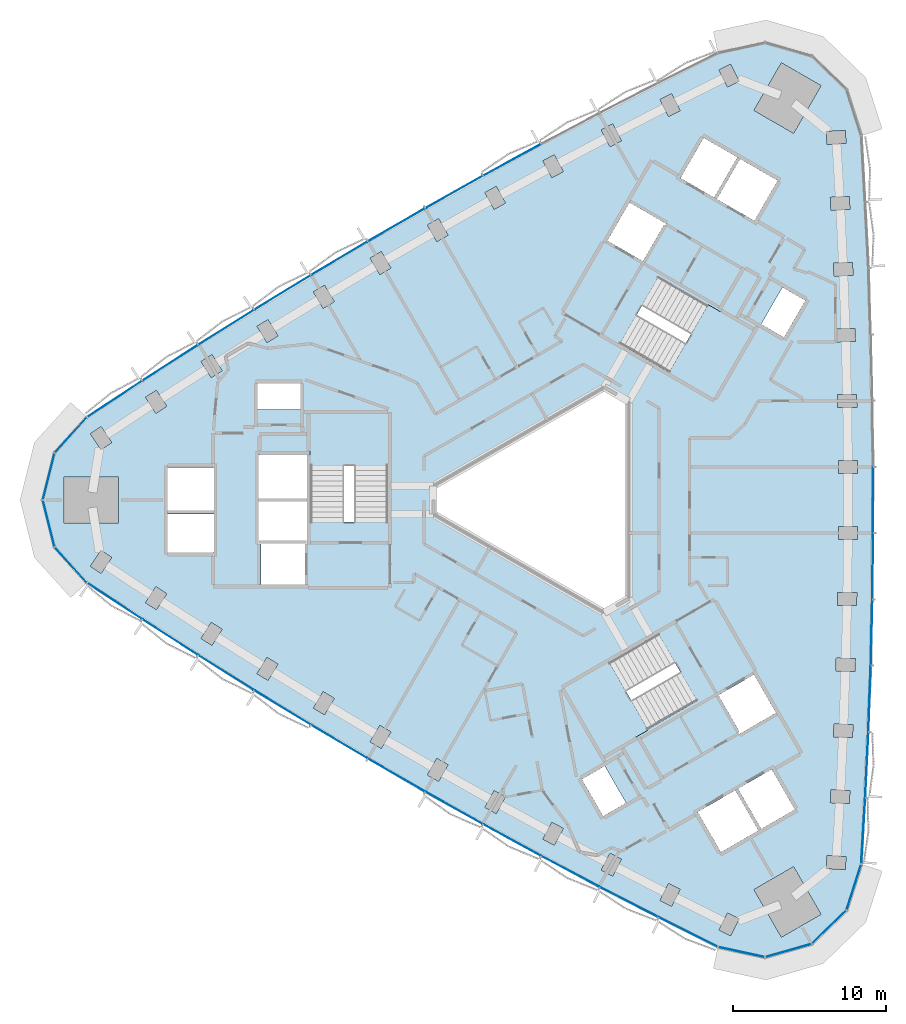
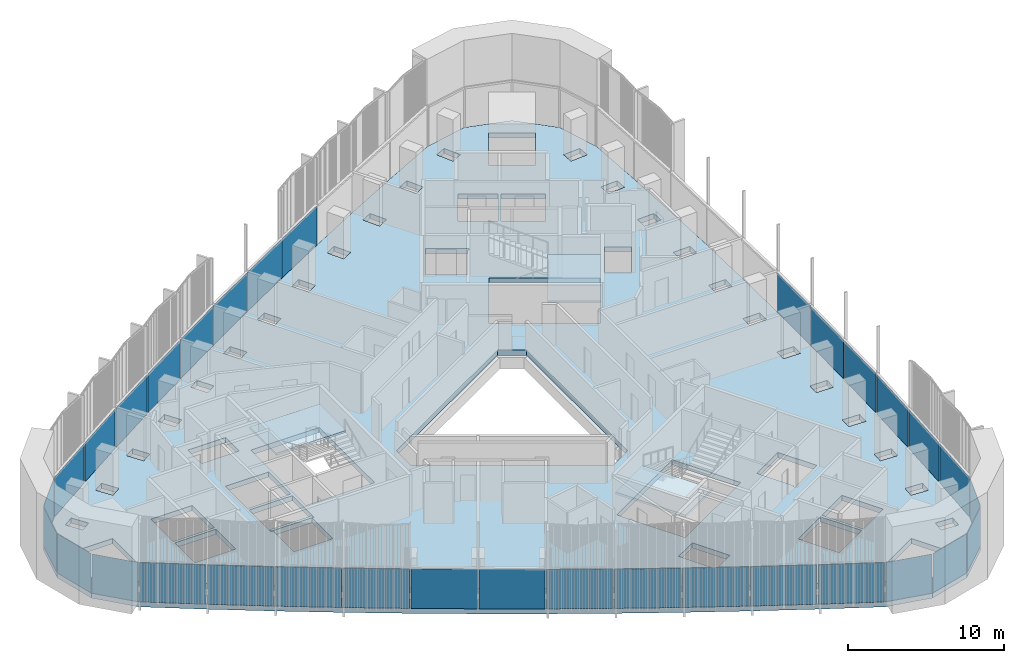
# One storey, part 6 of 15: 33 plates, 4 slabs, 6 elements without a shape of their own.
"""IFC4 building model written with IfcOpenShell, lengths in metres."""

from ifc_helpers import new_model, si_unit, direction, frame, origin, origin_2d, place, context, subcontext, project, spatial, polyline, rectangle, outline, extrude, material, layer, layer_set, type_object, element, aggregate, save


model = new_model("IFC4")

# Units and contexts
model_context = context("Model", 3, precision=1e-05, world=origin(), true_north=direction((0.0, 1.0)))
body_context = subcontext(model_context, "Body", "Model", "MODEL_VIEW")
ifc_project = project(units=[si_unit("LENGTHUNIT", "METRE"), si_unit("AREAUNIT", "SQUARE_METRE"), si_unit("VOLUMEUNIT", "CUBIC_METRE"), si_unit("PLANEANGLEUNIT", "RADIAN"), si_unit("MASSUNIT", "GRAM", prefix="KILO")], contexts=[model_context])

# Site, building, storey
site_placement = place(None, origin())
site = spatial("IfcSite", under=ifc_project, at=site_placement, CompositionType="ELEMENT")
building_placement = place(site_placement, origin())
building = spatial("IfcBuilding", under=site, at=building_placement, Name="Tamra Quay Hotel Tower", CompositionType="ELEMENT")
storey_placement = place(building_placement, frame((0.0, 0.0, 128.800048828125)))
storey = spatial("IfcBuildingStorey", under=building, at=storey_placement, Name="L31", CompositionType="ELEMENT", Elevation=128.800048828125)

# Stair, slab
ifc_material_1 = material(Name="Exit stair 2200 24 risers 150.0 going 342")
stair_type = type_object("IfcStairType", Name="Exit stair 2200 24 risers 150.0 going 342", PredefinedType="HALF_TURN_STAIR", material=ifc_material_1)
stair_1_placement = place(storey_placement, origin())
stair_1 = element("IfcStair", 1, at=stair_1_placement, inside=storey, type_object=stair_type, Name="L31 Exit stair ST3", PredefinedType="HALF_TURN_STAIR")
ifc_material_2 = material(Name="Concrete M70", Category="concrete")
ifc_layer_1 = layer(ifc_material_2, 0.175048828125)
ifc_layer_set_1 = layer_set([ifc_layer_1], Name="Concrete M70 stair landing 180")
slab_type_1 = type_object("IfcSlabType", Name="Concrete M70 stair landing 180", PredefinedType="LANDING", material=ifc_layer_set_1)
slab_1_placement = place(storey_placement, frame((0.0, 0.0, 1.625)))
slab_1 = element("IfcSlab", 2, at=slab_1_placement, type_object=slab_type_1, Name="ST3 landing 1", PredefinedType="LANDING", context=body_context, shape_type="SweptSolid", body=[
    extrude(outline(polyline([(-10.932373046875, 2.261962890625), (-10.932373046875, 5.679931640625), (-16.09130859375, 5.679931640625), (-16.09130859375, 2.261962890625), (-10.932373046875, 2.261962890625)])), origin(), (0.0, 0.0, 1.0), 0.175048828125),
])
aggregate(stair_1, [slab_1])

stair_2_placement = place(storey_placement, origin())
stair_2 = element("IfcStair", 3, at=stair_2_placement, inside=storey, type_object=stair_type, Name="L31 Exit stair ST1", PredefinedType="HALF_TURN_STAIR")
slab_2_placement = place(storey_placement, frame((0.0, 0.0, 1.625)))
slab_2 = element("IfcSlab", 4, at=slab_2_placement, type_object=slab_type_1, Name="ST1 landing 1", PredefinedType="LANDING", context=body_context, shape_type="SweptSolid", body=[
    extrude(outline(polyline([(7.425048828125, 8.336669921875), (10.385009765625, 6.627685546875), (12.964599609375, 11.095458984375), (10.00439453125, 12.804443359375), (7.425048828125, 8.336669921875)])), origin(), (0.0, 0.0, 1.0), 0.175048828125),
])
aggregate(stair_2, [slab_2])

stair_3_placement = place(storey_placement, origin())
stair_3 = element("IfcStair", 5, at=stair_3_placement, inside=storey, type_object=stair_type, Name="L31 Exit stair ST2", PredefinedType="HALF_TURN_STAIR")
slab_3_placement = place(storey_placement, frame((0.0, 0.0, 1.625)))
slab_3 = element("IfcSlab", 6, at=slab_3_placement, type_object=slab_type_1, Name="ST2 landing 1", PredefinedType="LANDING", context=body_context, shape_type="SweptSolid", body=[
    extrude(outline(polyline([(3.50732421875, -10.5986328125), (0.547119140625, -12.3076171875), (3.126708984375, -16.775390625), (6.086669921875, -15.06640625), (3.50732421875, -10.5986328125)])), origin(), (0.0, 0.0, 1.0), 0.175048828125),
])
aggregate(stair_3, [slab_3])

# Slab
ifc_material_3 = material(Name="Concrete M60", Category="concrete")
ifc_layer_2 = layer(ifc_material_3, 0.39990234375)
ifc_layer_set_2 = layer_set([ifc_layer_2], Name="FLOOR SLAB PT 400")
slab_type_2 = type_object("IfcSlabType", Name="FLOOR SLAB PT 400", PredefinedType="FLOOR", material=ifc_layer_set_2)
slab_4_placement = place(storey_placement, frame((0.0, 0.0, -0.400146484375)))
element("IfcSlab", 7, at=slab_4_placement, inside=storey, type_object=slab_type_2, Name="SLAB-L31", PredefinedType="FLOOR", context=body_context, shape_type="SweptSolid", body=[
    extrude(outline(polyline([(20.301025390625, 19.53076171875), (20.50830078125, 15.19384765625), (20.6640625, 10.85400390625), (20.767822265625, 6.5126953125), (20.81982421875, 2.17138671875), (20.81982421875, -2.17138671875), (20.767822265625, -6.5126953125), (20.6640625, -10.85400390625), (20.50830078125, -15.19384765625), (20.301025390625, -19.53076171875), (20.0419921875, -23.864990234375), (19.072265625, -26.883544921875), (16.794189453125, -29.088134765625), (13.74560546875, -29.958740234375), (10.646728515625, -29.28955078125), (6.763427734375, -27.3466796875), (2.904052734375, -25.35791015625), (-0.93212890625, -23.32275390625), (-4.74365234375, -21.24169921875), (-8.529541015625, -19.1162109375), (-12.290283203125, -16.94482421875), (-16.024169921875, -14.72900390625), (-19.73193359375, -12.468505859375), (-23.41259765625, -10.163818359375), (-27.064697265625, -7.81591796875), (-30.688720703125, -5.42431640625), (-32.81787109375, -3.0751953125), (-33.588134765625, 0.0), (-32.81787109375, 3.0751953125), (-30.688720703125, 5.42431640625), (-27.064697265625, 7.81591796875), (-23.41259765625, 10.163818359375), (-19.73193359375, 12.468505859375), (-16.024169921875, 14.72900390625), (-12.290283203125, 16.94482421875), (-8.529541015625, 19.1162109375), (-4.74365234375, 21.24169921875), (-0.93212890625, 23.32275390625), (2.904052734375, 25.35791015625), (6.763427734375, 27.3466796875), (10.646728515625, 29.28955078125), (13.74560546875, 29.958740234375), (16.794189453125, 29.088134765625), (19.072265625, 26.883544921875), (20.0419921875, 23.864990234375), (20.301025390625, 19.53076171875)]), holes=[polyline([(-12.1396484375, -15.846435546875), (-11.406005859375, -16.27587890625), (-10.7744140625, -15.197265625), (-11.5078125, -14.767578125), (-12.1396484375, -15.846435546875)]), polyline([(-15.216796875, -12.561279296875), (-15.86083984375, -13.632568359375), (-15.13232421875, -14.0703125), (-14.48828125, -12.9990234375), (-15.216796875, -12.561279296875)]), polyline([(-18.898193359375, -10.310791015625), (-19.55517578125, -11.3740234375), (-18.83203125, -11.82080078125), (-18.175048828125, -10.757568359375), (-18.898193359375, -10.310791015625)]), polyline([(-22.55224609375, -8.016357421875), (-23.222412109375, -9.071533203125), (-22.5048828125, -9.527099609375), (-21.834716796875, -8.471923828125), (-22.55224609375, -8.016357421875)]), polyline([(-26.179931640625, -5.678466796875), (-26.862060546875, -6.725830078125), (-26.149658203125, -7.189697265625), (-25.467529296875, -6.142333984375), (-26.179931640625, -5.678466796875)]), polyline([(-16.3173828125, -2.85498046875), (-19.4072265625, -2.85498046875), (-19.4072265625, -2.89306640625), (-19.307373046875, -2.89306640625), (-19.307373046875, -5.544921875), (-16.417236328125, -5.544921875), (-16.417236328125, -2.89306640625), (-16.3173828125, -2.89306640625), (-16.3173828125, -2.85498046875)]), polyline([(-29.77880859375, -3.297607421875), (-30.473388671875, -4.3369140625), (-29.7666015625, -4.80908203125), (-29.072021484375, -3.77001953125), (-29.77880859375, -3.297607421875)]), polyline([(-22.3671875, -0.905029296875), (-25.4072265625, -0.905029296875), (-25.4072265625, -3.445068359375), (-22.3671875, -3.445068359375), (-22.3671875, -0.905029296875)]), polyline([(-19.417236328125, -2.89306640625), (-19.417236328125, -2.64501953125), (-16.307373046875, -2.64501953125), (-16.307373046875, -2.89306640625), (-16.26708984375, -2.89306640625), (-16.26708984375, -0.10498046875), (-19.45751953125, -0.10498046875), (-19.45751953125, -2.89306640625), (-19.417236328125, -2.89306640625)]), polyline([(-28.6142578125, 1.5), (-32.214111328125, 1.5), (-32.214111328125, -1.5), (-28.6142578125, -1.5), (-28.6142578125, 1.5)]), polyline([(-25.4072265625, -0.695068359375), (-22.3671875, -0.695068359375), (-22.3671875, 2.14501953125), (-25.4072265625, 2.14501953125), (-25.4072265625, -0.695068359375)]), polyline([(-19.45751953125, 0.10498046875), (-16.26708984375, 0.10498046875), (-16.26708984375, 2.945068359375), (-19.45751953125, 2.945068359375), (-19.45751953125, 0.10498046875)]), polyline([(-16.036376953125, -1.455078125), (-10.9873046875, -1.455078125), (-10.9873046875, 5.625), (-16.036376953125, 5.625), (-16.036376953125, -1.455078125)]), polyline([(-29.072021484375, 3.77001953125), (-29.7666015625, 4.80908203125), (-30.473388671875, 4.3369140625), (-29.77880859375, 3.297607421875), (-29.072021484375, 3.77001953125)]), polyline([(-26.149658203125, 7.189697265625), (-26.862060546875, 6.725830078125), (-26.179931640625, 5.678466796875), (-25.467529296875, 6.142333984375), (-26.149658203125, 7.189697265625)]), polyline([(-16.71728515625, 7.64501953125), (-19.50732421875, 7.64501953125), (-19.50732421875, 5.9150390625), (-16.71728515625, 5.9150390625), (-16.71728515625, 7.64501953125)]), polyline([(-21.834716796875, 8.471923828125), (-22.5048828125, 9.527099609375), (-23.222412109375, 9.071533203125), (-22.55224609375, 8.016357421875), (-21.834716796875, 8.471923828125)]), polyline([(-18.175048828125, 10.757568359375), (-18.83203125, 11.82080078125), (-19.55517578125, 11.3740234375), (-18.898193359375, 10.310791015625), (-18.175048828125, 10.757568359375)]), polyline([(-14.48828125, 12.9990234375), (-15.13232421875, 14.0703125), (-15.86083984375, 13.632568359375), (-15.216796875, 12.561279296875), (-14.48828125, 12.9990234375)]), polyline([(7.414306640625, -25.126708984375), (6.848388671875, -26.2412109375), (7.606201171875, -26.626220703125), (8.17236328125, -25.51171875), (7.414306640625, -25.126708984375)]), polyline([(3.580322265625, -23.1455078125), (3.00146484375, -24.25341796875), (3.7548828125, -24.64697265625), (4.333740234375, -23.5390625), (3.580322265625, -23.1455078125)]), polyline([(-0.821044921875, -22.219482421875), (-0.072509765625, -22.622314453125), (0.519775390625, -21.521484375), (-0.228759765625, -21.118896484375), (-0.821044921875, -22.219482421875)]), polyline([(13.3056640625, -21.65576171875), (11.78564453125, -19.02294921875), (9.325927734375, -20.443115234375), (10.845947265625, -23.075927734375), (13.3056640625, -21.65576171875)]), polyline([(-4.01318359375, -19.046875), (-4.619140625, -20.14013671875), (-3.875732421875, -20.55224609375), (-3.269775390625, -19.458740234375), (-4.01318359375, -19.046875)]), polyline([(1.73779296875, -18.300048828125), (3.1328125, -20.71630859375), (4.631103515625, -19.851318359375), (3.236083984375, -17.43505859375), (1.73779296875, -18.300048828125)]), polyline([(-7.77392578125, -16.9296875), (-8.392333984375, -18.01611328125), (-7.653564453125, -18.436279296875), (-7.035400390625, -17.35009765625), (-7.77392578125, -16.9296875)]), polyline([(9.2783203125, -13.160400390625), (6.75390625, -8.78759765625), (0.622314453125, -12.32763671875), (3.146728515625, -16.7001953125), (9.2783203125, -13.160400390625)]), polyline([(3.199951171875, 7.39013671875), (-8.0, 0.923828125), (-8.0, -0.923828125), (3.199951171875, -7.39013671875), (4.800048828125, -6.46630859375), (4.800048828125, 6.46630859375), (3.199951171875, 7.39013671875)]), polyline([(4.2333984375, 10.242919921875), (10.364990234375, 6.702880859375), (12.889404296875, 11.075439453125), (6.758056640625, 14.615478515625), (4.2333984375, 10.242919921875)]), polyline([(-10.7744140625, 15.197265625), (-11.406005859375, 16.27587890625), (-12.1396484375, 15.846435546875), (-11.5078125, 14.767578125), (-10.7744140625, 15.197265625)]), polyline([(5.736083984375, 15.645263671875), (7.111083984375, 18.02685546875), (7.19775390625, 17.976806640625), (7.267578125, 18.09814453125), (4.8515625, 19.4931640625), (3.406494140625, 16.990234375), (5.736083984375, 15.645263671875)]), polyline([(-7.035400390625, 17.35009765625), (-7.653564453125, 18.436279296875), (-8.392333984375, 18.01611328125), (-7.77392578125, 16.9296875), (-7.035400390625, 17.35009765625)]), polyline([(-3.269775390625, 19.458740234375), (-3.875732421875, 20.55224609375), (-4.619140625, 20.14013671875), (-4.01318359375, 19.046875), (-3.269775390625, 19.458740234375)]), polyline([(8.2001953125, 21.093017578125), (10.39990234375, 19.822998046875), (11.919921875, 22.455810546875), (9.72021484375, 23.725830078125), (8.2001953125, 21.093017578125)]), polyline([(0.519775390625, 21.521484375), (-0.072509765625, 22.622314453125), (-0.821044921875, 22.219482421875), (-0.228759765625, 21.118896484375), (0.519775390625, 21.521484375)]), polyline([(3.7548828125, 24.64697265625), (3.00146484375, 24.25341796875), (3.580322265625, 23.1455078125), (4.333740234375, 23.5390625), (3.7548828125, 24.64697265625)]), polyline([(8.17236328125, 25.51171875), (7.606201171875, 26.626220703125), (6.848388671875, 26.2412109375), (7.414306640625, 25.126708984375), (8.17236328125, 25.51171875)]), polyline([(12.03369140625, 27.43798828125), (11.480712890625, 28.55908203125), (10.718505859375, 28.18310546875), (11.271240234375, 27.06201171875), (12.03369140625, 27.43798828125)]), polyline([(11.271240234375, -27.06201171875), (10.718505859375, -28.18310546875), (11.480712890625, -28.55908203125), (12.03369140625, -27.43798828125), (11.271240234375, -27.06201171875)]), polyline([(13.008056640625, -25.53076171875), (14.80810546875, -28.648193359375), (17.406005859375, -27.148193359375), (15.606201171875, -24.03076171875), (13.008056640625, -25.53076171875)]), polyline([(17.7451171875, -24.140380859375), (18.99267578125, -24.22216796875), (19.048095703125, -23.3740234375), (17.80078125, -23.292236328125), (17.7451171875, -24.140380859375)]), polyline([(14.1669921875, -17.648193359375), (11.96728515625, -18.91796875), (13.487548828125, -21.55078125), (15.68701171875, -20.281005859375), (14.1669921875, -17.648193359375)]), polyline([(19.255859375, -19.900146484375), (19.301513671875, -19.051513671875), (18.05322265625, -18.984375), (18.007568359375, -19.833251953125), (19.255859375, -19.900146484375)]), polyline([(18.218505859375, -15.5224609375), (19.46728515625, -15.5751953125), (19.50341796875, -14.72607421875), (18.25439453125, -14.67333984375), (18.218505859375, -15.5224609375)]), polyline([(10.68115234375, -12.790283203125), (12.05615234375, -15.171875), (11.969482421875, -15.2216796875), (12.03955078125, -15.343017578125), (14.455810546875, -13.947998046875), (13.0107421875, -11.4453125), (10.68115234375, -12.790283203125)]), polyline([(18.37841796875, -11.2109375), (19.627685546875, -11.248291015625), (19.6533203125, -10.398681640625), (18.40380859375, -10.361328125), (18.37841796875, -11.2109375)]), polyline([(18.48681640625, -6.897705078125), (19.736572265625, -6.919677734375), (19.75146484375, -6.06982421875), (18.501708984375, -6.0478515625), (18.48681640625, -6.897705078125)]), polyline([(18.543212890625, -2.582275390625), (19.793212890625, -2.590087890625), (19.79833984375, -1.739990234375), (18.54833984375, -1.732421875), (18.543212890625, -2.582275390625)]), polyline([(18.54833984375, 1.732421875), (19.79833984375, 1.739990234375), (19.793212890625, 2.590087890625), (18.543212890625, 2.582275390625), (18.54833984375, 1.732421875)]), polyline([(18.501708984375, 6.0478515625), (19.75146484375, 6.06982421875), (19.736572265625, 6.919677734375), (18.48681640625, 6.897705078125), (18.501708984375, 6.0478515625)]), polyline([(18.40380859375, 10.361328125), (19.6533203125, 10.398681640625), (19.627685546875, 11.248291015625), (18.37841796875, 11.2109375), (18.40380859375, 10.361328125)]), polyline([(14.9794921875, 10.655029296875), (16.37451171875, 13.0712890625), (14.876220703125, 13.936279296875), (13.481201171875, 11.52001953125), (14.9794921875, 10.655029296875)]), polyline([(18.25439453125, 14.67333984375), (19.50341796875, 14.72607421875), (19.46728515625, 15.5751953125), (18.218505859375, 15.5224609375), (18.25439453125, 14.67333984375)]), polyline([(18.05322265625, 18.984375), (19.301513671875, 19.051513671875), (19.255859375, 19.900146484375), (18.007568359375, 19.833251953125), (18.05322265625, 18.984375)]), polyline([(12.101806640625, 22.350830078125), (10.58154296875, 19.718017578125), (13.041259765625, 18.298095703125), (14.561279296875, 20.930908203125), (12.101806640625, 22.350830078125)]), polyline([(17.80078125, 23.292236328125), (19.048095703125, 23.3740234375), (18.99267578125, 24.22216796875), (17.7451171875, 24.140380859375), (17.80078125, 23.292236328125)]), polyline([(15.606201171875, 24.03076171875), (17.406005859375, 27.148193359375), (14.80810546875, 28.648193359375), (13.008056640625, 25.53076171875), (15.606201171875, 24.03076171875)])]), origin(), (0.0, 0.0, 1.0), 0.400146484375),
])

# Curtain wall, plates
ifc_material_4 = material(Name="Aluminium 6063 anodised dark grey", Category="aluminium")
curtain_wall_type_1 = type_object("IfcCurtainWallType", Name="CW1 CURTAIN WALL", PredefinedType="NOTDEFINED", material=ifc_material_4)
curtain_wall_1_placement = place(storey_placement, origin())
curtain_wall_1 = element("IfcCurtainWall", 8, at=curtain_wall_1_placement, inside=storey, type_object=curtain_wall_type_1, Name="CW1 east face L31", PredefinedType="NOTDEFINED")
ifc_material_5 = material(Name="Glass clear laminated low-iron", Category="glass")
ifc_layer_3 = layer(ifc_material_5, 0.031982421875)
ifc_layer_set_3 = layer_set([ifc_layer_3], Name="GLASS PANEL CW1 Z3")
plate_type_1 = type_object("IfcPlateType", Name="GLASS PANEL CW1 Z3", PredefinedType="CURTAIN_PANEL", material=ifc_layer_set_3)
plate_1_placement = place(storey_placement, frame((20.171630859375, -21.697998046875, 0.0), z_axis=(0.0, 0.0, 1.0), x_axis=(0.05964191564, 0.998219836458, 0.0)))
plate_1 = element("IfcPlate", 9, at=plate_1_placement, type_object=plate_type_1, Name="CW1 glass L31.E.1", PredefinedType="CURTAIN_PANEL", context=body_context, shape_type="SweptSolid", body=[
    extrude(rectangle(XDim=4.2421875, YDim=0.031982421875, at=origin_2d()), origin(), (0.0, 0.0, 1.0), 3.06005859375),
])
plate_2_placement = place(storey_placement, frame((20.40478515625, -17.3623046875, 0.0), z_axis=(0.0, 0.0, 1.0), x_axis=(0.04774710654, 0.998859456489, 0.0)))
plate_2 = element("IfcPlate", 10, at=plate_2_placement, type_object=plate_type_1, Name="CW1 glass L31.E.2", PredefinedType="CURTAIN_PANEL", context=body_context, shape_type="SweptSolid", body=[
    extrude(rectangle(XDim=4.24169921875, YDim=0.031982421875, at=origin_2d()), origin(), (0.0, 0.0, 1.0), 3.06005859375),
])
plate_3_placement = place(storey_placement, frame((20.586181640625, -13.02392578125, 0.0), z_axis=(0.0, 0.0, 1.0), x_axis=(0.03584493651, 0.999357363773, 0.0)))
plate_3 = element("IfcPlate", 11, at=plate_3_placement, type_object=plate_type_1, Name="CW1 glass L31.E.3", PredefinedType="CURTAIN_PANEL", context=body_context, shape_type="SweptSolid", body=[
    extrude(rectangle(XDim=4.24267578125, YDim=0.031982421875, at=origin_2d()), origin(), (0.0, 0.0, 1.0), 3.06005859375),
])
plate_4_placement = place(storey_placement, frame((20.716064453125, -8.683349609375, 0.0), z_axis=(0.0, 0.0, 1.0), x_axis=(0.023896183128, 0.999714445445, 0.0)))
plate_4 = element("IfcPlate", 12, at=plate_4_placement, type_object=plate_type_1, Name="CW1 glass L31.E.4", PredefinedType="CURTAIN_PANEL", context=body_context, shape_type="SweptSolid", body=[
    extrude(rectangle(XDim=4.24267578125, YDim=0.031982421875, at=origin_2d()), origin(), (0.0, 0.0, 1.0), 3.06005859375),
])
plate_5_placement = place(storey_placement, frame((20.793701171875, -4.342041015625, 0.0), z_axis=(0.0, 0.0, 1.0), x_axis=(0.011957026787, 0.9999285122, 0.0)))
plate_5 = element("IfcPlate", 13, at=plate_5_placement, type_object=plate_type_1, Name="CW1 glass L31.E.5", PredefinedType="CURTAIN_PANEL", context=body_context, shape_type="SweptSolid", body=[
    extrude(rectangle(XDim=4.24169921875, YDim=0.031982421875, at=origin_2d()), origin(), (0.0, 0.0, 1.0), 3.06005859375),
])
plate_6_placement = place(storey_placement, frame((20.81982421875, 0.0, 0.0), z_axis=(0.0, 0.0, 1.0), x_axis=(0.0, 1.0, 0.0)))
plate_6 = element("IfcPlate", 14, at=plate_6_placement, type_object=plate_type_1, Name="CW1 glass L31.E.6", PredefinedType="CURTAIN_PANEL", context=body_context, shape_type="SweptSolid", body=[
    extrude(rectangle(XDim=4.24267578125, YDim=0.031982421875, at=origin_2d()), origin(), (0.0, 0.0, 1.0), 3.06005859375),
])
aggregate(curtain_wall_1, [plate_1, plate_2, plate_3, plate_4, plate_5, plate_6])

curtain_wall_type_2 = type_object("IfcCurtainWallType", Name="CW2 CURTAIN WALL", PredefinedType="NOTDEFINED", material=ifc_material_4)
curtain_wall_2_placement = place(storey_placement, origin())
curtain_wall_2 = element("IfcCurtainWall", 15, at=curtain_wall_2_placement, inside=storey, type_object=curtain_wall_type_2, Name="CW2 north-west face L31", PredefinedType="NOTDEFINED")
ifc_layer_4 = layer(ifc_material_5, 0.031982421875)
ifc_layer_set_4 = layer_set([ifc_layer_4], Name="GLASS PANEL CW2 Z3")
plate_type_2 = type_object("IfcPlateType", Name="GLASS PANEL CW2 Z3", PredefinedType="CURTAIN_PANEL", material=ifc_layer_set_4)
plate_7_placement = place(storey_placement, frame((-2.837890625, 22.2822265625, 0.0), z_axis=(0.0, 0.0, 1.0), x_axis=(-0.87772619785, -0.47916252108, 0.0)))
plate_7 = element("IfcPlate", 16, at=plate_7_placement, type_object=plate_type_2, Name="CW2 glass L31.NW.4", PredefinedType="CURTAIN_PANEL", context=body_context, shape_type="SweptSolid", body=[
    extrude(rectangle(XDim=4.24267578125, YDim=0.031982421875, at=origin_2d()), origin(), (0.0, 0.0, 1.0), 3.06005859375),
])
plate_8_placement = place(storey_placement, frame((-6.636474609375, 20.178955078125, 0.0), z_axis=(0.0, 0.0, 1.0), x_axis=(-0.871942006927, -0.489609167149, 0.0)))
plate_8 = element("IfcPlate", 17, at=plate_8_placement, type_object=plate_type_2, Name="CW2 glass L31.NW.5", PredefinedType="CURTAIN_PANEL", context=body_context, shape_type="SweptSolid", body=[
    extrude(rectangle(XDim=4.24169921875, YDim=0.031982421875, at=origin_2d()), origin(), (0.0, 0.0, 1.0), 3.06005859375),
])
plate_9_placement = place(storey_placement, frame((-10.409912109375, 18.030517578125, 0.0), z_axis=(0.0, 0.0, 1.0), x_axis=(-0.866025403784, -0.5, 0.0)))
plate_9 = element("IfcPlate", 18, at=plate_9_placement, type_object=plate_type_2, Name="CW2 glass L31.NW.6", PredefinedType="CURTAIN_PANEL", context=body_context, shape_type="SweptSolid", body=[
    extrude(rectangle(XDim=4.24267578125, YDim=0.031982421875, at=origin_2d()), origin(), (0.0, 0.0, 1.0), 3.06005859375),
])
plate_10_placement = place(storey_placement, frame((-14.1572265625, 15.8369140625, 0.0), z_axis=(0.0, 0.0, 1.0), x_axis=(-0.85998498014, -0.510319345051, 0.0)))
plate_10 = element("IfcPlate", 19, at=plate_10_placement, type_object=plate_type_2, Name="CW2 glass L31.NW.7", PredefinedType="CURTAIN_PANEL", context=body_context, shape_type="SweptSolid", body=[
    extrude(rectangle(XDim=4.24169921875, YDim=0.031982421875, at=origin_2d()), origin(), (0.0, 0.0, 1.0), 3.06005859375),
])
plate_11_placement = place(storey_placement, frame((-17.8779296875, 13.598876953125, 0.0), z_axis=(0.0, 0.0, 1.0), x_axis=(-0.853830014722, -0.520551924365, 0.0)))
plate_11 = element("IfcPlate", 20, at=plate_11_placement, type_object=plate_type_2, Name="CW2 glass L31.NW.8", PredefinedType="CURTAIN_PANEL", context=body_context, shape_type="SweptSolid", body=[
    extrude(rectangle(XDim=4.24267578125, YDim=0.031982421875, at=origin_2d()), origin(), (0.0, 0.0, 1.0), 3.06005859375),
])
plate_12_placement = place(storey_placement, frame((-21.572265625, 11.316162109375, 0.0), z_axis=(0.0, 0.0, 1.0), x_axis=(-0.847546396231, -0.530721307501, 0.0)))
plate_12 = element("IfcPlate", 21, at=plate_12_placement, type_object=plate_type_2, Name="CW2 glass L31.NW.9", PredefinedType="CURTAIN_PANEL", context=body_context, shape_type="SweptSolid", body=[
    extrude(rectangle(XDim=4.24267578125, YDim=0.031982421875, at=origin_2d()), origin(), (0.0, 0.0, 1.0), 3.06005859375),
])
plate_13_placement = place(storey_placement, frame((-25.238525390625, 8.989990234375, 0.0), z_axis=(0.0, 0.0, 1.0), x_axis=(-0.841164110859, -0.540779935465, 0.0)))
plate_13 = element("IfcPlate", 22, at=plate_13_placement, type_object=plate_type_2, Name="CW2 glass L31.NW.10", PredefinedType="CURTAIN_PANEL", context=body_context, shape_type="SweptSolid", body=[
    extrude(rectangle(XDim=4.24169921875, YDim=0.031982421875, at=origin_2d()), origin(), (0.0, 0.0, 1.0), 3.06005859375),
])
plate_14_placement = place(storey_placement, frame((-28.876708984375, 6.6201171875, 0.0), z_axis=(0.0, 0.0, 1.0), x_axis=(-0.834662779115, -0.550761332303, 0.0)))
plate_14 = element("IfcPlate", 23, at=plate_14_placement, type_object=plate_type_2, Name="CW2 glass L31.NW.11", PredefinedType="CURTAIN_PANEL", context=body_context, shape_type="SweptSolid", body=[
    extrude(rectangle(XDim=4.2421875, YDim=0.031982421875, at=origin_2d()), origin(), (0.0, 0.0, 1.0), 3.06005859375),
])
plate_15_placement = place(storey_placement, frame((-31.75341796875, 4.25, 0.0), z_axis=(0.0, 0.0, 1.0), x_axis=(-0.671549804177, -0.740959418936, 0.0)))
plate_15 = element("IfcPlate", 24, at=plate_15_placement, type_object=plate_type_2, Name="CW2 glass L31.NW.12", PredefinedType="CURTAIN_PANEL", context=body_context, shape_type="SweptSolid", body=[
    extrude(rectangle(XDim=3.0703125, YDim=0.031982421875, at=origin_2d()), origin(), (0.0, 0.0, 1.0), 3.06005859375),
])
plate_16_placement = place(storey_placement, frame((-33.203125, 1.53759765625, 0.0), z_axis=(0.0, 0.0, 1.0), x_axis=(-0.242976186667, -0.970032253439, 0.0)))
plate_16 = element("IfcPlate", 25, at=plate_16_placement, type_object=plate_type_2, Name="CW2 glass L31.NW.13", PredefinedType="CURTAIN_PANEL", context=body_context, shape_type="SweptSolid", body=[
    extrude(rectangle(XDim=3.0703125, YDim=0.031982421875, at=origin_2d()), origin(), (0.0, 0.0, 1.0), 3.06005859375),
])
plate_17_placement = place(storey_placement, frame((-33.203125, -1.53759765625, 0.0), z_axis=(0.0, 0.0, 1.0), x_axis=(0.242976186667, -0.970032253439, 0.0)))
plate_17 = element("IfcPlate", 26, at=plate_17_placement, type_object=plate_type_2, Name="CW2 glass L31.NW.14", PredefinedType="CURTAIN_PANEL", context=body_context, shape_type="SweptSolid", body=[
    extrude(rectangle(XDim=3.0703125, YDim=0.031982421875, at=origin_2d()), origin(), (0.0, 0.0, 1.0), 3.06005859375),
])
plate_18_placement = place(storey_placement, frame((-31.75341796875, -4.25, 0.0), z_axis=(0.0, 0.0, 1.0), x_axis=(0.671549804177, -0.740959418936, 0.0)))
plate_18 = element("IfcPlate", 27, at=plate_18_placement, type_object=plate_type_2, Name="CW2 glass L31.NW.15", PredefinedType="CURTAIN_PANEL", context=body_context, shape_type="SweptSolid", body=[
    extrude(rectangle(XDim=3.0703125, YDim=0.031982421875, at=origin_2d()), origin(), (0.0, 0.0, 1.0), 3.06005859375),
])
aggregate(curtain_wall_2, [plate_7, plate_8, plate_9, plate_10, plate_11, plate_12, plate_13, plate_14, plate_15, plate_16, plate_17, plate_18])

curtain_wall_type_3 = type_object("IfcCurtainWallType", Name="CW3 CURTAIN WALL", PredefinedType="NOTDEFINED", material=ifc_material_4)
curtain_wall_3_placement = place(storey_placement, origin())
curtain_wall_3 = element("IfcCurtainWall", 28, at=curtain_wall_3_placement, inside=storey, type_object=curtain_wall_type_3, Name="CW3 south-west face L31", PredefinedType="NOTDEFINED")
ifc_layer_5 = layer(ifc_material_5, 0.031982421875)
ifc_layer_set_5 = layer_set([ifc_layer_5], Name="GLASS PANEL CW3 Z3")
plate_type_3 = type_object("IfcPlateType", Name="GLASS PANEL CW3 Z3", PredefinedType="CURTAIN_PANEL", material=ifc_layer_set_5)
plate_19_placement = place(storey_placement, frame((-28.876708984375, -6.6201171875, 0.0), z_axis=(0.0, 0.0, 1.0), x_axis=(0.834662779115, -0.550761332303, 0.0)))
plate_19 = element("IfcPlate", 29, at=plate_19_placement, type_object=plate_type_3, Name="CW3 glass L31.SW.1", PredefinedType="CURTAIN_PANEL", context=body_context, shape_type="SweptSolid", body=[
    extrude(rectangle(XDim=4.2421875, YDim=0.031982421875, at=origin_2d()), origin(), (0.0, 0.0, 1.0), 3.06005859375),
])
plate_20_placement = place(storey_placement, frame((-25.238525390625, -8.989990234375, 0.0), z_axis=(0.0, 0.0, 1.0), x_axis=(0.841164110859, -0.540779935465, 0.0)))
plate_20 = element("IfcPlate", 30, at=plate_20_placement, type_object=plate_type_3, Name="CW3 glass L31.SW.2", PredefinedType="CURTAIN_PANEL", context=body_context, shape_type="SweptSolid", body=[
    extrude(rectangle(XDim=4.24169921875, YDim=0.031982421875, at=origin_2d()), origin(), (0.0, 0.0, 1.0), 3.06005859375),
])
plate_21_placement = place(storey_placement, frame((-21.572265625, -11.316162109375, 0.0), z_axis=(0.0, 0.0, 1.0), x_axis=(0.847546396231, -0.530721307501, 0.0)))
plate_21 = element("IfcPlate", 31, at=plate_21_placement, type_object=plate_type_3, Name="CW3 glass L31.SW.3", PredefinedType="CURTAIN_PANEL", context=body_context, shape_type="SweptSolid", body=[
    extrude(rectangle(XDim=4.24267578125, YDim=0.031982421875, at=origin_2d()), origin(), (0.0, 0.0, 1.0), 3.06005859375),
])
plate_22_placement = place(storey_placement, frame((-17.8779296875, -13.598876953125, 0.0), z_axis=(0.0, 0.0, 1.0), x_axis=(0.853830014722, -0.520551924365, 0.0)))
plate_22 = element("IfcPlate", 32, at=plate_22_placement, type_object=plate_type_3, Name="CW3 glass L31.SW.4", PredefinedType="CURTAIN_PANEL", context=body_context, shape_type="SweptSolid", body=[
    extrude(rectangle(XDim=4.24267578125, YDim=0.031982421875, at=origin_2d()), origin(), (0.0, 0.0, 1.0), 3.06005859375),
])
plate_23_placement = place(storey_placement, frame((-14.1572265625, -15.8369140625, 0.0), z_axis=(0.0, 0.0, 1.0), x_axis=(0.85998498014, -0.510319345051, 0.0)))
plate_23 = element("IfcPlate", 33, at=plate_23_placement, type_object=plate_type_3, Name="CW3 glass L31.SW.5", PredefinedType="CURTAIN_PANEL", context=body_context, shape_type="SweptSolid", body=[
    extrude(rectangle(XDim=4.24169921875, YDim=0.031982421875, at=origin_2d()), origin(), (0.0, 0.0, 1.0), 3.06005859375),
])
plate_24_placement = place(storey_placement, frame((-10.409912109375, -18.030517578125, 0.0), z_axis=(0.0, 0.0, 1.0), x_axis=(0.866025403784, -0.5, 0.0)))
plate_24 = element("IfcPlate", 34, at=plate_24_placement, type_object=plate_type_3, Name="CW3 glass L31.SW.6", PredefinedType="CURTAIN_PANEL", context=body_context, shape_type="SweptSolid", body=[
    extrude(rectangle(XDim=4.24267578125, YDim=0.031982421875, at=origin_2d()), origin(), (0.0, 0.0, 1.0), 3.06005859375),
])
plate_25_placement = place(storey_placement, frame((-6.636474609375, -20.178955078125, 0.0), z_axis=(0.0, 0.0, 1.0), x_axis=(0.871942006927, -0.489609167149, 0.0)))
plate_25 = element("IfcPlate", 35, at=plate_25_placement, type_object=plate_type_3, Name="CW3 glass L31.SW.7", PredefinedType="CURTAIN_PANEL", context=body_context, shape_type="SweptSolid", body=[
    extrude(rectangle(XDim=4.24169921875, YDim=0.031982421875, at=origin_2d()), origin(), (0.0, 0.0, 1.0), 3.06005859375),
])
plate_26_placement = place(storey_placement, frame((-2.837890625, -22.2822265625, 0.0), z_axis=(0.0, 0.0, 1.0), x_axis=(0.87772619785, -0.47916252108, 0.0)))
plate_26 = element("IfcPlate", 36, at=plate_26_placement, type_object=plate_type_3, Name="CW3 glass L31.SW.8", PredefinedType="CURTAIN_PANEL", context=body_context, shape_type="SweptSolid", body=[
    extrude(rectangle(XDim=4.24267578125, YDim=0.031982421875, at=origin_2d()), origin(), (0.0, 0.0, 1.0), 3.06005859375),
])
plate_27_placement = place(storey_placement, frame((0.986083984375, -24.34033203125, 0.0), z_axis=(0.0, 0.0, 1.0), x_axis=(0.883391332741, -0.468636056272, 0.0)))
plate_27 = element("IfcPlate", 37, at=plate_27_placement, type_object=plate_type_3, Name="CW3 glass L31.SW.9", PredefinedType="CURTAIN_PANEL", context=body_context, shape_type="SweptSolid", body=[
    extrude(rectangle(XDim=4.24267578125, YDim=0.031982421875, at=origin_2d()), origin(), (0.0, 0.0, 1.0), 3.06005859375),
])
plate_28_placement = place(storey_placement, frame((4.833740234375, -26.352294921875, 0.0), z_axis=(0.0, 0.0, 1.0), x_axis=(0.8889112174, -0.458079521023, 0.0)))
plate_28 = element("IfcPlate", 38, at=plate_28_placement, type_object=plate_type_3, Name="CW3 glass L31.SW.10", PredefinedType="CURTAIN_PANEL", context=body_context, shape_type="SweptSolid", body=[
    extrude(rectangle(XDim=4.24169921875, YDim=0.031982421875, at=origin_2d()), origin(), (0.0, 0.0, 1.0), 3.06005859375),
])
plate_29_placement = place(storey_placement, frame((8.705078125, -28.318115234375, 0.0), z_axis=(0.0, 0.0, 1.0), x_axis=(0.894304694754, -0.447458504155, 0.0)))
plate_29 = element("IfcPlate", 39, at=plate_29_placement, type_object=plate_type_3, Name="CW3 glass L31.SW.11", PredefinedType="CURTAIN_PANEL", context=body_context, shape_type="SweptSolid", body=[
    extrude(rectangle(XDim=4.2421875, YDim=0.031982421875, at=origin_2d()), origin(), (0.0, 0.0, 1.0), 3.06005859375),
])
plate_30_placement = place(storey_placement, frame((12.196044921875, -29.624267578125, 0.0), z_axis=(0.0, 0.0, 1.0), x_axis=(0.97746458206, -0.211099480856, 0.0)))
plate_30 = element("IfcPlate", 40, at=plate_30_placement, type_object=plate_type_3, Name="CW3 glass L31.SW.12", PredefinedType="CURTAIN_PANEL", context=body_context, shape_type="SweptSolid", body=[
    extrude(rectangle(XDim=3.0703125, YDim=0.031982421875, at=origin_2d()), origin(), (0.0, 0.0, 1.0), 3.06005859375),
])
plate_31_placement = place(storey_placement, frame((15.269775390625, -29.5234375, 0.0), z_axis=(0.0, 0.0, 1.0), x_axis=(0.961560667302, 0.274592576551, 0.0)))
plate_31 = element("IfcPlate", 41, at=plate_31_placement, type_object=plate_type_3, Name="CW3 glass L31.SW.13", PredefinedType="CURTAIN_PANEL", context=body_context, shape_type="SweptSolid", body=[
    extrude(rectangle(XDim=3.0703125, YDim=0.031982421875, at=origin_2d()), origin(), (0.0, 0.0, 1.0), 3.06005859375),
])
plate_32_placement = place(storey_placement, frame((17.93310546875, -27.98583984375, 0.0), z_axis=(0.0, 0.0, 1.0), x_axis=(0.718584480635, 0.695439676888, 0.0)))
plate_32 = element("IfcPlate", 42, at=plate_32_placement, type_object=plate_type_3, Name="CW3 glass L31.SW.14", PredefinedType="CURTAIN_PANEL", context=body_context, shape_type="SweptSolid", body=[
    extrude(rectangle(XDim=3.0703125, YDim=0.031982421875, at=origin_2d()), origin(), (0.0, 0.0, 1.0), 3.06005859375),
])
plate_33_placement = place(storey_placement, frame((19.55712890625, -25.374267578125, 0.0), z_axis=(0.0, 0.0, 1.0), x_axis=(0.305914777883, 0.952058899792, 0.0)))
plate_33 = element("IfcPlate", 43, at=plate_33_placement, type_object=plate_type_3, Name="CW3 glass L31.SW.15", PredefinedType="CURTAIN_PANEL", context=body_context, shape_type="SweptSolid", body=[
    extrude(rectangle(XDim=3.0703125, YDim=0.031982421875, at=origin_2d()), origin(), (0.0, 0.0, 1.0), 3.06005859375),
])
aggregate(curtain_wall_3, [plate_19, plate_20, plate_21, plate_22, plate_23, plate_24, plate_25, plate_26, plate_27, plate_28, plate_29, plate_30, plate_31, plate_32, plate_33])

save(model, "model.ifc")
